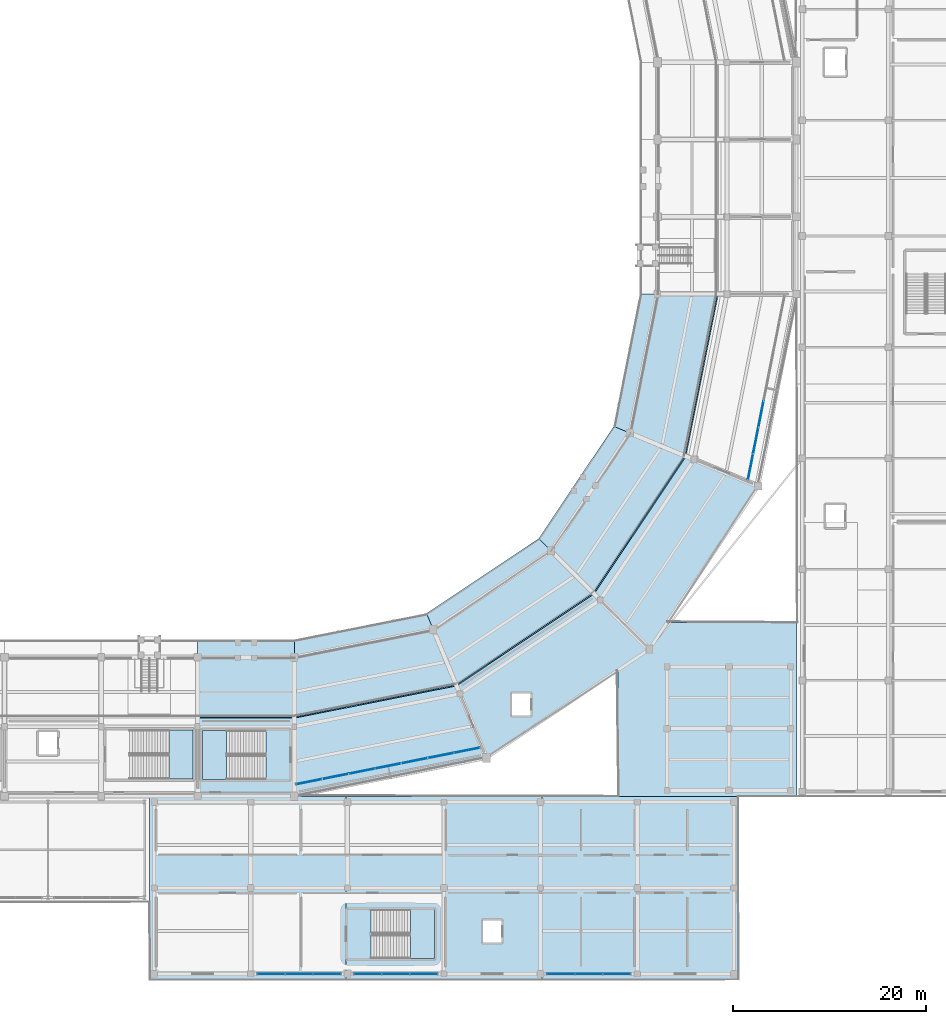
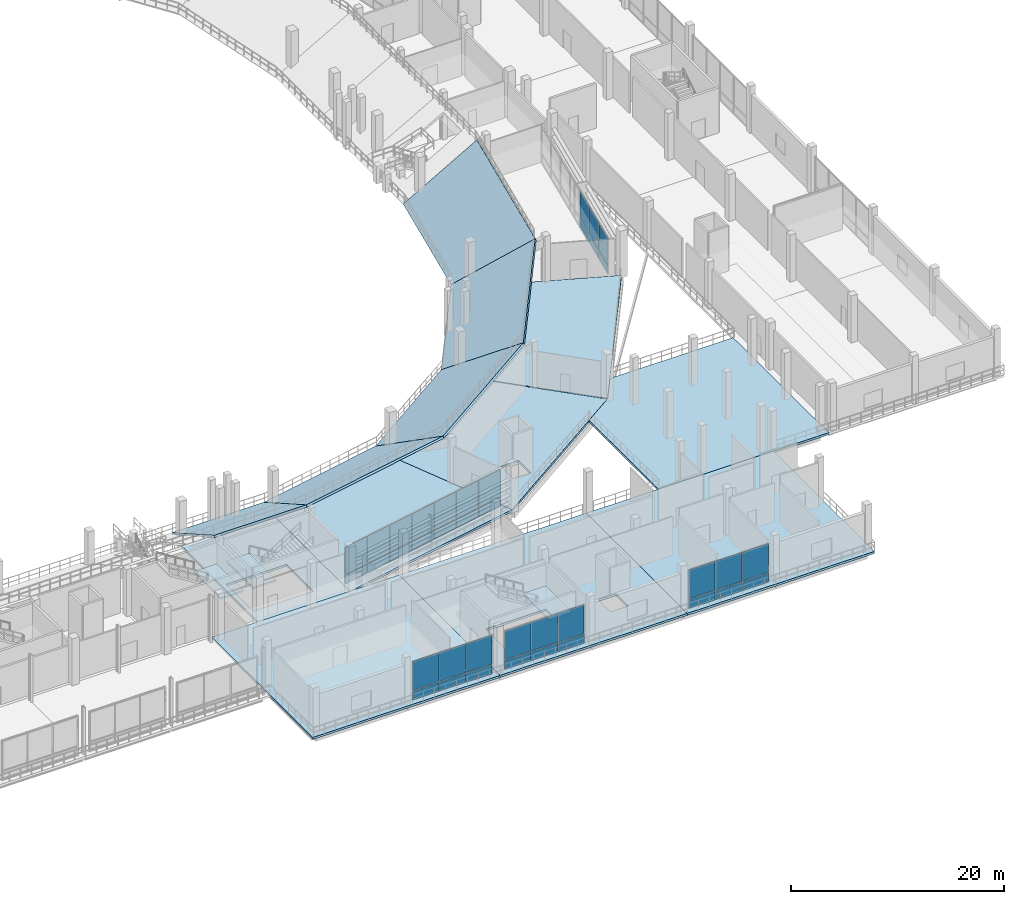
# One storey, part 66 of 127: 38 plates, 16 slabs, 8 elements without a shape of their own.
"""IFC4 building model written with IfcOpenShell, lengths in metres."""

from ifc_helpers import new_model, si_unit, direction, frame, origin, origin_2d, place, context, subcontext, project, spatial, polyline, rectangle, outline, extrude, material, layer, layer_set, type_object, element, aggregate, save


model = new_model("IFC4")

# Units and contexts
model_context = context("Model", 3, precision=1e-05, world=origin(), true_north=direction((0.0, 1.0)))
body_context = subcontext(model_context, "Body", "Model", "MODEL_VIEW")
ifc_project = project(units=[si_unit("LENGTHUNIT", "METRE"), si_unit("AREAUNIT", "SQUARE_METRE"), si_unit("VOLUMEUNIT", "CUBIC_METRE"), si_unit("PLANEANGLEUNIT", "RADIAN"), si_unit("MASSUNIT", "GRAM", prefix="KILO")], contexts=[model_context])

# Site, building, storey
site_placement = place(None, origin())
site = spatial("IfcSite", under=ifc_project, at=site_placement, CompositionType="ELEMENT")
building_placement = place(site_placement, origin())
building = spatial("IfcBuilding", under=site, at=building_placement, Name="Candeia Ridge Stadium", CompositionType="ELEMENT")
storey_placement = place(building_placement, frame((0.0, 0.0, 10.800048828125)))
storey = spatial("IfcBuildingStorey", under=building, at=storey_placement, Name="L02", CompositionType="ELEMENT", Elevation=10.800048828125)

# Slabs
ifc_material_1 = material(Name="Precast concrete C45/55", Category="concrete")
ifc_layer_1 = layer(ifc_material_1, 0.22509765625, Name="Precast concrete C45/55", Category="concrete")
ifc_layer_set_1 = layer_set([ifc_layer_1], Name="Precast concrete C45/55")
slab_type_1 = type_object("IfcSlabType", Name="Club Seating Tier Precast 225", PredefinedType="USERDEFINED", material=ifc_layer_set_1)
slab_1_placement = place(storey_placement, frame((131.0, 35.199951171875, 0.39990234375), z_axis=(0.0, 0.494386728352, 0.869242062276), x_axis=(1.0, 0.0, 0.0)))
element("IfcSlab", 1, at=slab_1_placement, inside=storey, type_object=slab_type_1, Name="Stand Club Tier Stands Bay 25", ObjectType="SEATING TIER", PredefinedType="USERDEFINED", context=body_context, shape_type="SweptSolid", body=[
    extrude(outline(polyline([(0.0, 0.0), (10.0, 0.0), (10.0, -9.203420252184602), (0.0, -9.203420252184602), (0.0, 0.0)])), origin(), (0.0, 0.0, -1.0), 0.22509765625),
])
slab_2_placement = place(storey_placement, frame((141.0, 35.199951171875, 0.39990234375), z_axis=(-0.097864069881, 0.492009659407, 0.86507174204), x_axis=(0.980785461692, 0.195089410595, -2.563371e-06)))
element("IfcSlab", 2, at=slab_2_placement, inside=storey, type_object=slab_type_1, Name="Stand Club Tier Stands Bay 26", ObjectType="SEATING TIER", PredefinedType="USERDEFINED", context=body_context, shape_type="SweptSolid", body=[
    extrude(outline(polyline([(0.0, 0.0), (13.96835063084204, 0.0), (15.529587610985773, -9.070278646793197), (-1.5607269482180093, -9.070119940205563), (0.0, 0.0)])), origin(), (0.0, 0.0, -1.0), 0.22509765625),
])
slab_3_placement = place(storey_placement, frame((154.699951171875, 37.925048828125, 0.39990234375), z_axis=(-0.278715263732, 0.417085102929, 0.865076770395), x_axis=(0.831444571051, 0.555607708072, 6.87557e-07)))
element("IfcSlab", 3, at=slab_3_placement, inside=storey, type_object=slab_type_1, Name="Stand Club Tier Stands Bay 27", ObjectType="SEATING TIER", PredefinedType="USERDEFINED", context=body_context, shape_type="SweptSolid", body=[
    extrude(outline(polyline([(0.0, 0.0), (13.968472441742488, 8.881784197001252e-16), (15.528879855339513, -9.070334794515325), (-1.5606633618274304, -9.070377363223672), (0.0, 0.0)])), origin(), (0.0, 0.0, -1.0), 0.22509765625),
])
slab_4_placement = place(storey_placement, frame((166.31396484375, 45.68603515625, 0.39990234375), z_axis=(-0.417085102929, 0.278715263732, 0.865076770395), x_axis=(0.555607708072, 0.831444571051, -6.87557e-07)))
element("IfcSlab", 4, at=slab_4_placement, inside=storey, type_object=slab_type_1, Name="Stand Club Tier Stands Bay 28", ObjectType="SEATING TIER", PredefinedType="USERDEFINED", context=body_context, shape_type="SweptSolid", body=[
    extrude(outline(polyline([(0.0, 0.0), (13.968472441742488, -8.881784197001252e-16), (15.529135803569918, -9.070377363223672), (-1.5604074135970254, -9.070334794515325), (0.0, 0.0)])), origin(), (0.0, 0.0, -1.0), 0.22509765625),
])
slab_5_placement = place(storey_placement, frame((174.074951171875, 57.300048828125, 0.39990234375), z_axis=(-0.492009659407, 0.097864069881, 0.86507174204), x_axis=(0.195089410595, 0.980785461692, 2.563371e-06)))
element("IfcSlab", 5, at=slab_5_placement, inside=storey, type_object=slab_type_1, Name="Stand Club Tier Stands Bay 29", ObjectType="SEATING TIER", PredefinedType="USERDEFINED", context=body_context, shape_type="SweptSolid", body=[
    extrude(outline(polyline([(0.0, 0.0), (13.96835063084204, 0.0), (15.529077579060049, -9.070119940205563), (-1.5612369801437325, -9.070278646793197), (0.0, 0.0)])), origin(), (0.0, 0.0, -1.0), 0.22509765625),
])

# Stair, slab
ifc_material_2 = material(Name="Concrete C40/50", Category="concrete")
stair_type = type_object("IfcStairType", Name="Enclosed Core Half-Turn Stair 2450", PredefinedType="HALF_TURN_STAIR", material=ifc_material_2)
stair_1_placement = place(storey_placement, origin())
stair_1 = element("IfcStair", 6, at=stair_1_placement, inside=storey, type_object=stair_type, Name="L02 Enclosed exit stair ST03", PredefinedType="HALF_TURN_STAIR")
ifc_layer_2 = layer(ifc_material_2, 0.199951171875, Name="Concrete C40/50", Category="concrete")
ifc_layer_set_2 = layer_set([ifc_layer_2], Name="Concrete C40/50")
slab_type_2 = type_object("IfcSlabType", Name="Core Stair Landing Slab 200", PredefinedType="LANDING", material=ifc_layer_set_2)
slab_6_placement = place(storey_placement, frame((0.0, 0.0, 2.5)))
slab_6 = element("IfcSlab", 7, at=slab_6_placement, type_object=slab_type_2, Name="ST03 landing 1", PredefinedType="LANDING", context=body_context, shape_type="SweptSolid", body=[
    extrude(outline(polyline([(133.989990234375, 25.800048828125), (131.5, 25.800048828125), (131.5, 20.75), (133.989990234375, 20.75), (133.989990234375, 25.800048828125)])), origin(), (0.0, 0.0, 1.0), 0.199951171875),
])
aggregate(stair_1, [slab_6])

stair_2_placement = place(storey_placement, origin())
stair_2 = element("IfcStair", 8, at=stair_2_placement, inside=storey, type_object=stair_type, Name="L02 Enclosed exit stair ST12", PredefinedType="HALF_TURN_STAIR")
slab_7_placement = place(storey_placement, frame((0.0, 0.0, 2.5)))
slab_7 = element("IfcSlab", 9, at=slab_7_placement, type_object=slab_type_2, Name="ST12 landing 1", PredefinedType="LANDING", context=body_context, shape_type="SweptSolid", body=[
    extrude(outline(polyline([(128.010009765625, 20.800048828125), (130.5, 20.800048828125), (130.5, 25.85009765625), (128.010009765625, 25.85009765625), (128.010009765625, 20.800048828125)])), origin(), (0.0, 0.0, 1.0), 0.199951171875),
])
aggregate(stair_2, [slab_7])

stair_3_placement = place(storey_placement, origin())
stair_3 = element("IfcStair", 10, at=stair_3_placement, inside=storey, type_object=stair_type, Name="L02 Enclosed exit stair ST14", PredefinedType="HALF_TURN_STAIR")
slab_8_placement = place(storey_placement, frame((0.0, 0.0, 2.5)))
slab_8 = element("IfcSlab", 11, at=slab_8_placement, type_object=slab_type_2, Name="ST14 landing 1", PredefinedType="LANDING", context=body_context, shape_type="SweptSolid", body=[
    extrude(outline(polyline([(153.010009765625, 2.199951171875), (155.5, 2.199951171875), (155.5, 7.25), (153.010009765625, 7.25), (153.010009765625, 2.199951171875)])), origin(), (0.0, 0.0, 1.0), 0.199951171875),
])
aggregate(stair_3, [slab_8])

# Slabs
ifc_layer_3 = layer(ifc_material_2, 0.25, Name="Concrete C40/50", Category="concrete")
ifc_layer_set_3 = layer_set([ifc_layer_3], Name="Concrete C40/50")
slab_type_3 = type_object("IfcSlabType", Name="Hospitality & Museum Slab 250", PredefinedType="FLOOR", material=ifc_layer_set_3)
slab_9_placement = place(storey_placement, frame((0.0, 0.0, -0.25)))
element("IfcSlab", 12, at=slab_9_placement, inside=storey, type_object=slab_type_3, Name="Bowl concourse sector slab L02 bay 25 SLB-L02-0097", PredefinedType="FLOOR", context=body_context, shape_type="SweptSolid", body=[
    extrude(outline(polyline([(141.0, 33.39990234375), (141.0, 19.0), (131.0, 19.0), (131.0, 33.39990234375), (141.0, 33.39990234375)]), holes=[polyline([(138.04931640625, 25.800048828125), (131.5, 25.800048828125), (131.5, 20.75), (138.04931640625, 20.75), (138.04931640625, 25.800048828125)])]), origin(), (0.0, 0.0, 1.0), 0.25),
])
slab_10_placement = place(storey_placement, frame((0.0, 0.0, -0.25)))
element("IfcSlab", 13, at=slab_10_placement, inside=storey, type_object=slab_type_3, Name="Bowl concourse sector slab L02 bay 26 SLB-L02-0098", PredefinedType="FLOOR", context=body_context, shape_type="SweptSolid", body=[
    extrude(outline(polyline([(155.388916015625, 36.26220703125), (160.8994140625, 22.958251953125), (141.0, 19.0), (141.0, 33.39990234375), (155.388916015625, 36.26220703125)])), origin(), (0.0, 0.0, 1.0), 0.25),
])
slab_11_placement = place(storey_placement, frame((0.0, 0.0, -0.25)))
element("IfcSlab", 14, at=slab_11_placement, inside=storey, type_object=slab_type_3, Name="Bowl concourse sector slab L02 bay 27 SLB-L02-0099", PredefinedType="FLOOR", context=body_context, shape_type="SweptSolid", body=[
    extrude(outline(polyline([(167.553955078125, 44.390625), (177.736328125, 34.208251953125), (160.8994140625, 22.958251953125), (155.388916015625, 36.26220703125), (167.553955078125, 44.390625)]), holes=[polyline([(165.449951171875, 27.35009765625), (165.449951171875, 29.64990234375), (163.550048828125, 29.64990234375), (163.550048828125, 27.35009765625), (165.449951171875, 27.35009765625)])]), origin(), (0.0, 0.0, 1.0), 0.25),
])
slab_12_placement = place(storey_placement, frame((0.0, 0.0, -0.25)))
element("IfcSlab", 15, at=slab_12_placement, inside=storey, type_object=slab_type_3, Name="Bowl concourse sector slab L02 bay 28 SLB-L02-0100", PredefinedType="FLOOR", context=body_context, shape_type="SweptSolid", body=[
    extrude(outline(polyline([(175.73779296875, 56.611083984375), (189.041748046875, 51.1005859375), (177.791748046875, 34.263671875), (167.609375, 44.446044921875), (175.73779296875, 56.611083984375)])), origin(), (0.0, 0.0, 1.0), 0.25),
])
slab_13_placement = place(storey_placement, frame((0.0, 0.0, -0.25)))
element("IfcSlab", 16, at=slab_13_placement, inside=storey, type_object=slab_type_3, Name="Wing floor slab se_s SLB-L02-0260", PredefinedType="FLOOR", context=body_context, shape_type="SweptSolid", body=[
    extrude(outline(polyline([(126.0, 0.0), (126.0, 19.0), (146.333251953125, 19.0), (146.333251953125, 0.0), (126.0, 0.0)])), origin(), (0.0, 0.0, 1.0), 0.25),
])
slab_14_placement = place(storey_placement, frame((0.0, 0.0, -0.25)))
element("IfcSlab", 17, at=slab_14_placement, inside=storey, type_object=slab_type_3, Name="Wing floor slab se_s SLB-L02-0261", PredefinedType="FLOOR", context=body_context, shape_type="SweptSolid", body=[
    extrude(outline(polyline([(146.333251953125, 0.0), (146.333251953125, 19.0), (166.666748046875, 19.0), (166.666748046875, 0.0), (146.333251953125, 0.0)]), holes=[polyline([(148.95068359375, 2.199951171875), (155.5, 2.199951171875), (155.5, 7.25), (148.95068359375, 7.25), (148.95068359375, 2.199951171875)]), polyline([(162.449951171875, 3.85009765625), (162.449951171875, 6.14990234375), (160.550048828125, 6.14990234375), (160.550048828125, 3.85009765625), (162.449951171875, 3.85009765625)])]), origin(), (0.0, 0.0, 1.0), 0.25),
])
slab_15_placement = place(storey_placement, frame((0.0, 0.0, -0.25)))
element("IfcSlab", 18, at=slab_15_placement, inside=storey, type_object=slab_type_3, Name="Wing floor slab se_s SLB-L02-0262", PredefinedType="FLOOR", context=body_context, shape_type="SweptSolid", body=[
    extrude(outline(polyline([(166.666748046875, 0.0), (166.666748046875, 19.0), (187.0, 19.0), (187.0, 0.0), (166.666748046875, 0.0)])), origin(), (0.0, 0.0, 1.0), 0.25),
])
slab_16_placement = place(storey_placement, frame((0.0, 0.0, -0.25)))
element("IfcSlab", 19, at=slab_16_placement, inside=storey, type_object=slab_type_3, Name="Wing floor slab sp_se SLB-L02-0274", PredefinedType="FLOOR", context=body_context, shape_type="SweptSolid", body=[
    extrude(outline(polyline([(193.0, 19.0), (174.5, 19.0), (174.5, 32.039794921875), (177.772216796875, 34.226318359375), (177.772705078125, 34.2265625), (177.773193359375, 34.226806640625), (177.7734375, 34.227294921875), (177.773681640625, 34.227783203125), (179.626220703125, 37.0), (193.0, 37.0), (193.0, 19.0)])), origin(), (0.0, 0.0, 1.0), 0.25),
])

# Curtain wall, plates
ifc_material_3 = material(Name="Aluminium Anodized Warm Bronze", Category="aluminium")
curtain_wall_type_1 = type_object("IfcCurtainWallType", Name="Concourse Recessed Unitised Curtain Wall", PredefinedType="NOTDEFINED", material=ifc_material_3)
curtain_wall_1_placement = place(storey_placement, origin())
curtain_wall_1 = element("IfcCurtainWall", 20, at=curtain_wall_1_placement, inside=storey, type_object=curtain_wall_type_1, Name="Unitised curtain wall CW-BWL-L02-28", PredefinedType="NOTDEFINED")
ifc_material_4 = material(Name="Aluminium Insulated Spandrel", Category="aluminium")
ifc_layer_4 = layer(ifc_material_4, 0.06494140625, Name="Aluminium Insulated Spandrel", Category="aluminium")
ifc_layer_set_4 = layer_set([ifc_layer_4], Name="Aluminium Insulated Spandrel")
plate_type_1 = type_object("IfcPlateType", Name="Insulated Bronze Spandrel Panel SP4", PredefinedType="CURTAIN_PANEL", material=ifc_layer_set_4)
plate_1_placement = place(storey_placement, frame((188.239501953125, 53.099609375, 0.0400390625), z_axis=(0.0, 0.0, 1.0), x_axis=(0.195090320544, 0.980785280696, 0.0)))
plate_1 = element("IfcPlate", 21, at=plate_1_placement, type_object=plate_type_1, Name="Curtain wall spandrel panel CW-BWL-L02-28-SP0", PredefinedType="CURTAIN_PANEL", context=body_context, shape_type="SweptSolid", body=[
    extrude(rectangle(XDim=2.710205078125, YDim=0.06494140625, at=origin_2d()), origin(), (0.0, 0.0, 1.0), 0.983642578125),
])
plate_2_placement = place(storey_placement, frame((188.78173828125, 55.826416015625, 0.0400390625), z_axis=(0.0, 0.0, 1.0), x_axis=(0.195090320544, 0.980785280696, 0.0)))
plate_2 = element("IfcPlate", 22, at=plate_2_placement, type_object=plate_type_1, Name="Curtain wall spandrel panel CW-BWL-L02-28-SP1", PredefinedType="CURTAIN_PANEL", context=body_context, shape_type="SweptSolid", body=[
    extrude(rectangle(XDim=2.710205078125, YDim=0.06494140625, at=origin_2d()), origin(), (0.0, 0.0, 1.0), 0.983642578125),
])
plate_3_placement = place(storey_placement, frame((189.32421875, 58.552978515625, 0.0400390625), z_axis=(0.0, 0.0, 1.0), x_axis=(0.195090320544, 0.980785280696, 0.0)))
plate_3 = element("IfcPlate", 23, at=plate_3_placement, type_object=plate_type_1, Name="Curtain wall spandrel panel CW-BWL-L02-28-SP2", PredefinedType="CURTAIN_PANEL", context=body_context, shape_type="SweptSolid", body=[
    extrude(rectangle(XDim=2.710205078125, YDim=0.06494140625, at=origin_2d()), origin(), (0.0, 0.0, 1.0), 0.983642578125),
])

curtain_wall_2_placement = place(storey_placement, origin())
curtain_wall_2 = element("IfcCurtainWall", 24, at=curtain_wall_2_placement, inside=storey, type_object=curtain_wall_type_1, Name="Unitised curtain wall CW-BWL-L02-25", PredefinedType="NOTDEFINED")
ifc_layer_5 = layer(ifc_material_4, 0.06494140625, Name="Aluminium Insulated Spandrel", Category="aluminium")
ifc_layer_set_5 = layer_set([ifc_layer_5], Name="Aluminium Insulated Spandrel")
plate_type_2 = type_object("IfcPlateType", Name="Insulated Bronze Spandrel Panel SP5", PredefinedType="CURTAIN_PANEL", material=ifc_layer_set_5)
plate_4_placement = place(storey_placement, frame((142.539794921875, 20.50634765625, 0.0400390625), z_axis=(0.0, 0.0, 1.0), x_axis=(0.980785280696, 0.195090320544, 0.0)))
plate_4 = element("IfcPlate", 25, at=plate_4_placement, type_object=plate_type_2, Name="Curtain wall spandrel panel CW-BWL-L02-25-SP0", PredefinedType="CURTAIN_PANEL", context=body_context, shape_type="SweptSolid", body=[
    extrude(rectangle(XDim=2.710205078125, YDim=0.06494140625, at=origin_2d()), origin(), (0.0, 0.0, 1.0), 0.983642578125),
])
plate_5_placement = place(storey_placement, frame((145.2666015625, 21.048583984375, 0.0400390625), z_axis=(0.0, 0.0, 1.0), x_axis=(0.980785280696, 0.195090320544, 0.0)))
plate_5 = element("IfcPlate", 26, at=plate_5_placement, type_object=plate_type_2, Name="Curtain wall spandrel panel CW-BWL-L02-25-SP1", PredefinedType="CURTAIN_PANEL", context=body_context, shape_type="SweptSolid", body=[
    extrude(rectangle(XDim=2.710205078125, YDim=0.06494140625, at=origin_2d()), origin(), (0.0, 0.0, 1.0), 0.983642578125),
])
plate_6_placement = place(storey_placement, frame((147.993408203125, 21.591064453125, 0.0400390625), z_axis=(0.0, 0.0, 1.0), x_axis=(0.980785280696, 0.195090320544, 0.0)))
plate_6 = element("IfcPlate", 27, at=plate_6_placement, type_object=plate_type_2, Name="Curtain wall spandrel panel CW-BWL-L02-25-SP2", PredefinedType="CURTAIN_PANEL", context=body_context, shape_type="SweptSolid", body=[
    extrude(rectangle(XDim=2.710205078125, YDim=0.06494140625, at=origin_2d()), origin(), (0.0, 0.0, 1.0), 0.983642578125),
])
plate_7_placement = place(storey_placement, frame((150.72021484375, 22.13330078125, 0.0400390625), z_axis=(0.0, 0.0, 1.0), x_axis=(0.980785280696, 0.195090320544, 0.0)))
plate_7 = element("IfcPlate", 28, at=plate_7_placement, type_object=plate_type_2, Name="Curtain wall spandrel panel CW-BWL-L02-25-SP3", PredefinedType="CURTAIN_PANEL", context=body_context, shape_type="SweptSolid", body=[
    extrude(rectangle(XDim=2.710205078125, YDim=0.06494140625, at=origin_2d()), origin(), (0.0, 0.0, 1.0), 0.983642578125),
])
plate_8_placement = place(storey_placement, frame((153.447021484375, 22.67578125, 0.0400390625), z_axis=(0.0, 0.0, 1.0), x_axis=(0.980785280696, 0.195090320544, 0.0)))
plate_8 = element("IfcPlate", 29, at=plate_8_placement, type_object=plate_type_2, Name="Curtain wall spandrel panel CW-BWL-L02-25-SP4", PredefinedType="CURTAIN_PANEL", context=body_context, shape_type="SweptSolid", body=[
    extrude(rectangle(XDim=2.710205078125, YDim=0.06494140625, at=origin_2d()), origin(), (0.0, 0.0, 1.0), 0.983642578125),
])
plate_9_placement = place(storey_placement, frame((156.173583984375, 23.21826171875, 0.0400390625), z_axis=(0.0, 0.0, 1.0), x_axis=(0.980785280696, 0.195090320544, 0.0)))
plate_9 = element("IfcPlate", 30, at=plate_9_placement, type_object=plate_type_2, Name="Curtain wall spandrel panel CW-BWL-L02-25-SP5", PredefinedType="CURTAIN_PANEL", context=body_context, shape_type="SweptSolid", body=[
    extrude(rectangle(XDim=2.710205078125, YDim=0.06494140625, at=origin_2d()), origin(), (0.0, 0.0, 1.0), 0.983642578125),
])
plate_10_placement = place(storey_placement, frame((158.900390625, 23.760498046875, 0.0400390625), z_axis=(0.0, 0.0, 1.0), x_axis=(0.980785280696, 0.195090320544, 0.0)))
plate_10 = element("IfcPlate", 31, at=plate_10_placement, type_object=plate_type_2, Name="Curtain wall spandrel panel CW-BWL-L02-25-SP6", PredefinedType="CURTAIN_PANEL", context=body_context, shape_type="SweptSolid", body=[
    extrude(rectangle(XDim=2.710205078125, YDim=0.06494140625, at=origin_2d()), origin(), (0.0, 0.0, 1.0), 0.983642578125),
])

curtain_wall_type_2 = type_object("IfcCurtainWallType", Name="Museum & Boulevard Showcase Curtain Wall", PredefinedType="NOTDEFINED", material=ifc_material_3)
curtain_wall_3_placement = place(storey_placement, origin())
curtain_wall_3 = element("IfcCurtainWall", 32, at=curtain_wall_3_placement, inside=storey, type_object=curtain_wall_type_2, Name="Unitised curtain wall CW-WNG-L02-124", PredefinedType="NOTDEFINED")
ifc_layer_6 = layer(ifc_material_4, 0.06494140625, Name="Aluminium Insulated Spandrel", Category="aluminium")
ifc_layer_set_6 = layer_set([ifc_layer_6], Name="Aluminium Insulated Spandrel")
plate_type_3 = type_object("IfcPlateType", Name="Insulated Cedar-Tone Spandrel Panel SP3", PredefinedType="CURTAIN_PANEL", material=ifc_layer_set_6)
plate_11_placement = place(storey_placement, frame((138.606689453125, 0.60009765625, 0.0400390625), z_axis=(0.0, 0.0, 1.0), x_axis=(1.0, 0.0, 0.0)))
plate_11 = element("IfcPlate", 33, at=plate_11_placement, type_object=plate_type_3, Name="Curtain wall spandrel panel CW-WNG-L02-124-SP0", PredefinedType="CURTAIN_PANEL", context=body_context, shape_type="SweptSolid", body=[
    extrude(rectangle(XDim=2.8232421875, YDim=0.06494140625, at=origin_2d()), origin(), (0.0, 0.0, 1.0), 1.02001953125),
])
plate_12_placement = place(storey_placement, frame((141.5, 0.60009765625, 0.0400390625), z_axis=(0.0, 0.0, 1.0), x_axis=(1.0, 0.0, 0.0)))
plate_12 = element("IfcPlate", 34, at=plate_12_placement, type_object=plate_type_3, Name="Curtain wall spandrel panel CW-WNG-L02-124-SP1", PredefinedType="CURTAIN_PANEL", context=body_context, shape_type="SweptSolid", body=[
    extrude(rectangle(XDim=2.8232421875, YDim=0.06494140625, at=origin_2d()), origin(), (0.0, 0.0, 1.0), 1.02001953125),
])
plate_13_placement = place(storey_placement, frame((144.393310546875, 0.60009765625, 0.0400390625), z_axis=(0.0, 0.0, 1.0), x_axis=(1.0, 0.0, 0.0)))
plate_13 = element("IfcPlate", 35, at=plate_13_placement, type_object=plate_type_3, Name="Curtain wall spandrel panel CW-WNG-L02-124-SP2", PredefinedType="CURTAIN_PANEL", context=body_context, shape_type="SweptSolid", body=[
    extrude(rectangle(XDim=2.8232421875, YDim=0.06494140625, at=origin_2d()), origin(), (0.0, 0.0, 1.0), 1.02001953125),
])

curtain_wall_4_placement = place(storey_placement, origin())
curtain_wall_4 = element("IfcCurtainWall", 36, at=curtain_wall_4_placement, inside=storey, type_object=curtain_wall_type_2, Name="Unitised curtain wall CW-WNG-L02-125", PredefinedType="NOTDEFINED")
plate_14_placement = place(storey_placement, frame((148.606689453125, 0.60009765625, 0.0400390625), z_axis=(0.0, 0.0, 1.0), x_axis=(1.0, 0.0, 0.0)))
plate_14 = element("IfcPlate", 37, at=plate_14_placement, type_object=plate_type_3, Name="Curtain wall spandrel panel CW-WNG-L02-125-SP0", PredefinedType="CURTAIN_PANEL", context=body_context, shape_type="SweptSolid", body=[
    extrude(rectangle(XDim=2.8232421875, YDim=0.06494140625, at=origin_2d()), origin(), (0.0, 0.0, 1.0), 1.02001953125),
])
plate_15_placement = place(storey_placement, frame((151.5, 0.60009765625, 0.0400390625), z_axis=(0.0, 0.0, 1.0), x_axis=(1.0, 0.0, 0.0)))
plate_15 = element("IfcPlate", 38, at=plate_15_placement, type_object=plate_type_3, Name="Curtain wall spandrel panel CW-WNG-L02-125-SP1", PredefinedType="CURTAIN_PANEL", context=body_context, shape_type="SweptSolid", body=[
    extrude(rectangle(XDim=2.8232421875, YDim=0.06494140625, at=origin_2d()), origin(), (0.0, 0.0, 1.0), 1.02001953125),
])
plate_16_placement = place(storey_placement, frame((154.393310546875, 0.60009765625, 0.0400390625), z_axis=(0.0, 0.0, 1.0), x_axis=(1.0, 0.0, 0.0)))
plate_16 = element("IfcPlate", 39, at=plate_16_placement, type_object=plate_type_3, Name="Curtain wall spandrel panel CW-WNG-L02-125-SP2", PredefinedType="CURTAIN_PANEL", context=body_context, shape_type="SweptSolid", body=[
    extrude(rectangle(XDim=2.8232421875, YDim=0.06494140625, at=origin_2d()), origin(), (0.0, 0.0, 1.0), 1.02001953125),
])

curtain_wall_5_placement = place(storey_placement, origin())
curtain_wall_5 = element("IfcCurtainWall", 40, at=curtain_wall_5_placement, inside=storey, type_object=curtain_wall_type_2, Name="Unitised curtain wall CW-WNG-L02-126", PredefinedType="NOTDEFINED")
plate_17_placement = place(storey_placement, frame((168.606689453125, 0.60009765625, 0.0400390625), z_axis=(0.0, 0.0, 1.0), x_axis=(1.0, 0.0, 0.0)))
plate_17 = element("IfcPlate", 41, at=plate_17_placement, type_object=plate_type_3, Name="Curtain wall spandrel panel CW-WNG-L02-126-SP0", PredefinedType="CURTAIN_PANEL", context=body_context, shape_type="SweptSolid", body=[
    extrude(rectangle(XDim=2.8232421875, YDim=0.06494140625, at=origin_2d()), origin(), (0.0, 0.0, 1.0), 1.02001953125),
])
plate_18_placement = place(storey_placement, frame((171.5, 0.60009765625, 0.0400390625), z_axis=(0.0, 0.0, 1.0), x_axis=(1.0, 0.0, 0.0)))
plate_18 = element("IfcPlate", 42, at=plate_18_placement, type_object=plate_type_3, Name="Curtain wall spandrel panel CW-WNG-L02-126-SP1", PredefinedType="CURTAIN_PANEL", context=body_context, shape_type="SweptSolid", body=[
    extrude(rectangle(XDim=2.8232421875, YDim=0.06494140625, at=origin_2d()), origin(), (0.0, 0.0, 1.0), 1.02001953125),
])
plate_19_placement = place(storey_placement, frame((174.393310546875, 0.60009765625, 0.0400390625), z_axis=(0.0, 0.0, 1.0), x_axis=(1.0, 0.0, 0.0)))
plate_19 = element("IfcPlate", 43, at=plate_19_placement, type_object=plate_type_3, Name="Curtain wall spandrel panel CW-WNG-L02-126-SP2", PredefinedType="CURTAIN_PANEL", context=body_context, shape_type="SweptSolid", body=[
    extrude(rectangle(XDim=2.8232421875, YDim=0.06494140625, at=origin_2d()), origin(), (0.0, 0.0, 1.0), 1.02001953125),
])

# Plate
ifc_material_5 = material(Name="Tempered Low-E Double Glazing", Category="glass")
ifc_layer_7 = layer(ifc_material_5, 0.035888671875, Name="Tempered Low-E Double Glazing", Category="glass")
ifc_layer_set_7 = layer_set([ifc_layer_7], Name="Tempered Low-E Double Glazing")
plate_type_4 = type_object("IfcPlateType", Name="Pavilion Panorama Glass Panel GP4", PredefinedType="CURTAIN_PANEL", material=ifc_layer_set_7)
plate_20_placement = place(storey_placement, frame((138.606689453125, 0.60009765625, 1.14013671875), z_axis=(0.0, 0.0, 1.0), x_axis=(1.0, 0.0, 0.0)))
plate_20 = element("IfcPlate", 44, at=plate_20_placement, type_object=plate_type_4, Name="Curtain wall vision glass panel CW-WNG-L02-124-GP0", PredefinedType="CURTAIN_PANEL", context=body_context, shape_type="SweptSolid", body=[
    extrude(rectangle(XDim=2.8232421875, YDim=0.035888671875, at=origin_2d()), origin(), (0.0, 0.0, 1.0), 3.304931640625),
])

plate_21_placement = place(storey_placement, frame((141.5, 0.60009765625, 1.14013671875), z_axis=(0.0, 0.0, 1.0), x_axis=(1.0, 0.0, 0.0)))
plate_21 = element("IfcPlate", 45, at=plate_21_placement, type_object=plate_type_4, Name="Curtain wall vision glass panel CW-WNG-L02-124-GP1", PredefinedType="CURTAIN_PANEL", context=body_context, shape_type="SweptSolid", body=[
    extrude(rectangle(XDim=2.8232421875, YDim=0.035888671875, at=origin_2d()), origin(), (0.0, 0.0, 1.0), 3.304931640625),
])

plate_22_placement = place(storey_placement, frame((144.393310546875, 0.60009765625, 1.14013671875), z_axis=(0.0, 0.0, 1.0), x_axis=(1.0, 0.0, 0.0)))
plate_22 = element("IfcPlate", 46, at=plate_22_placement, type_object=plate_type_4, Name="Curtain wall vision glass panel CW-WNG-L02-124-GP2", PredefinedType="CURTAIN_PANEL", context=body_context, shape_type="SweptSolid", body=[
    extrude(rectangle(XDim=2.8232421875, YDim=0.035888671875, at=origin_2d()), origin(), (0.0, 0.0, 1.0), 3.304931640625),
])

aggregate(curtain_wall_3, [plate_11, plate_20, plate_12, plate_21, plate_13, plate_22])

plate_23_placement = place(storey_placement, frame((148.606689453125, 0.60009765625, 1.14013671875), z_axis=(0.0, 0.0, 1.0), x_axis=(1.0, 0.0, 0.0)))
plate_23 = element("IfcPlate", 47, at=plate_23_placement, type_object=plate_type_4, Name="Curtain wall vision glass panel CW-WNG-L02-125-GP0", PredefinedType="CURTAIN_PANEL", context=body_context, shape_type="SweptSolid", body=[
    extrude(rectangle(XDim=2.8232421875, YDim=0.035888671875, at=origin_2d()), origin(), (0.0, 0.0, 1.0), 3.304931640625),
])

plate_24_placement = place(storey_placement, frame((151.5, 0.60009765625, 1.14013671875), z_axis=(0.0, 0.0, 1.0), x_axis=(1.0, 0.0, 0.0)))
plate_24 = element("IfcPlate", 48, at=plate_24_placement, type_object=plate_type_4, Name="Curtain wall vision glass panel CW-WNG-L02-125-GP1", PredefinedType="CURTAIN_PANEL", context=body_context, shape_type="SweptSolid", body=[
    extrude(rectangle(XDim=2.8232421875, YDim=0.035888671875, at=origin_2d()), origin(), (0.0, 0.0, 1.0), 3.304931640625),
])

plate_25_placement = place(storey_placement, frame((154.393310546875, 0.60009765625, 1.14013671875), z_axis=(0.0, 0.0, 1.0), x_axis=(1.0, 0.0, 0.0)))
plate_25 = element("IfcPlate", 49, at=plate_25_placement, type_object=plate_type_4, Name="Curtain wall vision glass panel CW-WNG-L02-125-GP2", PredefinedType="CURTAIN_PANEL", context=body_context, shape_type="SweptSolid", body=[
    extrude(rectangle(XDim=2.8232421875, YDim=0.035888671875, at=origin_2d()), origin(), (0.0, 0.0, 1.0), 3.304931640625),
])

aggregate(curtain_wall_4, [plate_14, plate_23, plate_15, plate_24, plate_16, plate_25])

plate_26_placement = place(storey_placement, frame((168.606689453125, 0.60009765625, 1.14013671875), z_axis=(0.0, 0.0, 1.0), x_axis=(1.0, 0.0, 0.0)))
plate_26 = element("IfcPlate", 50, at=plate_26_placement, type_object=plate_type_4, Name="Curtain wall vision glass panel CW-WNG-L02-126-GP0", PredefinedType="CURTAIN_PANEL", context=body_context, shape_type="SweptSolid", body=[
    extrude(rectangle(XDim=2.8232421875, YDim=0.035888671875, at=origin_2d()), origin(), (0.0, 0.0, 1.0), 3.304931640625),
])

plate_27_placement = place(storey_placement, frame((171.5, 0.60009765625, 1.14013671875), z_axis=(0.0, 0.0, 1.0), x_axis=(1.0, 0.0, 0.0)))
plate_27 = element("IfcPlate", 51, at=plate_27_placement, type_object=plate_type_4, Name="Curtain wall vision glass panel CW-WNG-L02-126-GP1", PredefinedType="CURTAIN_PANEL", context=body_context, shape_type="SweptSolid", body=[
    extrude(rectangle(XDim=2.8232421875, YDim=0.035888671875, at=origin_2d()), origin(), (0.0, 0.0, 1.0), 3.304931640625),
])

plate_28_placement = place(storey_placement, frame((174.393310546875, 0.60009765625, 1.14013671875), z_axis=(0.0, 0.0, 1.0), x_axis=(1.0, 0.0, 0.0)))
plate_28 = element("IfcPlate", 52, at=plate_28_placement, type_object=plate_type_4, Name="Curtain wall vision glass panel CW-WNG-L02-126-GP2", PredefinedType="CURTAIN_PANEL", context=body_context, shape_type="SweptSolid", body=[
    extrude(rectangle(XDim=2.8232421875, YDim=0.035888671875, at=origin_2d()), origin(), (0.0, 0.0, 1.0), 3.304931640625),
])

aggregate(curtain_wall_5, [plate_17, plate_26, plate_18, plate_27, plate_19, plate_28])

ifc_layer_8 = layer(ifc_material_5, 0.035888671875, Name="Tempered Low-E Double Glazing", Category="glass")
ifc_layer_set_8 = layer_set([ifc_layer_8], Name="Tempered Low-E Double Glazing")
plate_type_5 = type_object("IfcPlateType", Name="Solar Control Vision Glass Panel GP1", PredefinedType="CURTAIN_PANEL", material=ifc_layer_set_8)
plate_29_placement = place(storey_placement, frame((188.239501953125, 53.099609375, 1.103759765625), z_axis=(0.0, 0.0, 1.0), x_axis=(0.195090320544, 0.980785280696, 0.0)))
plate_29 = element("IfcPlate", 53, at=plate_29_placement, type_object=plate_type_5, Name="Curtain wall vision glass panel CW-BWL-L02-28-GP0", PredefinedType="CURTAIN_PANEL", context=body_context, shape_type="SweptSolid", body=[
    extrude(rectangle(XDim=2.710205078125, YDim=0.035888671875, at=origin_2d()), origin(), (0.0, 0.0, 1.0), 3.111328125),
])

plate_30_placement = place(storey_placement, frame((188.78173828125, 55.826416015625, 1.103759765625), z_axis=(0.0, 0.0, 1.0), x_axis=(0.195090320544, 0.980785280696, 0.0)))
plate_30 = element("IfcPlate", 54, at=plate_30_placement, type_object=plate_type_5, Name="Curtain wall vision glass panel CW-BWL-L02-28-GP1", PredefinedType="CURTAIN_PANEL", context=body_context, shape_type="SweptSolid", body=[
    extrude(rectangle(XDim=2.710205078125, YDim=0.035888671875, at=origin_2d()), origin(), (0.0, 0.0, 1.0), 3.111328125),
])

plate_31_placement = place(storey_placement, frame((189.32421875, 58.552978515625, 1.103759765625), z_axis=(0.0, 0.0, 1.0), x_axis=(0.195090320544, 0.980785280696, 0.0)))
plate_31 = element("IfcPlate", 55, at=plate_31_placement, type_object=plate_type_5, Name="Curtain wall vision glass panel CW-BWL-L02-28-GP2", PredefinedType="CURTAIN_PANEL", context=body_context, shape_type="SweptSolid", body=[
    extrude(rectangle(XDim=2.710205078125, YDim=0.035888671875, at=origin_2d()), origin(), (0.0, 0.0, 1.0), 3.111328125),
])

aggregate(curtain_wall_1, [plate_1, plate_29, plate_2, plate_30, plate_3, plate_31])

ifc_layer_9 = layer(ifc_material_5, 0.035888671875, Name="Tempered Low-E Double Glazing", Category="glass")
ifc_layer_set_9 = layer_set([ifc_layer_9], Name="Tempered Low-E Double Glazing")
plate_type_6 = type_object("IfcPlateType", Name="Solar Control Vision Glass Panel GP6", PredefinedType="CURTAIN_PANEL", material=ifc_layer_set_9)
plate_32_placement = place(storey_placement, frame((142.539794921875, 20.50634765625, 1.103759765625), z_axis=(0.0, 0.0, 1.0), x_axis=(0.980785280696, 0.195090320544, 0.0)))
plate_32 = element("IfcPlate", 56, at=plate_32_placement, type_object=plate_type_6, Name="Curtain wall vision glass panel CW-BWL-L02-25-GP0", PredefinedType="CURTAIN_PANEL", context=body_context, shape_type="SweptSolid", body=[
    extrude(rectangle(XDim=2.710205078125, YDim=0.035888671875, at=origin_2d()), origin(), (0.0, 0.0, 1.0), 3.111328125),
])

plate_33_placement = place(storey_placement, frame((145.2666015625, 21.048583984375, 1.103759765625), z_axis=(0.0, 0.0, 1.0), x_axis=(0.980785280696, 0.195090320544, 0.0)))
plate_33 = element("IfcPlate", 57, at=plate_33_placement, type_object=plate_type_6, Name="Curtain wall vision glass panel CW-BWL-L02-25-GP1", PredefinedType="CURTAIN_PANEL", context=body_context, shape_type="SweptSolid", body=[
    extrude(rectangle(XDim=2.710205078125, YDim=0.035888671875, at=origin_2d()), origin(), (0.0, 0.0, 1.0), 3.111328125),
])

plate_34_placement = place(storey_placement, frame((147.993408203125, 21.591064453125, 1.103759765625), z_axis=(0.0, 0.0, 1.0), x_axis=(0.980785280696, 0.195090320544, 0.0)))
plate_34 = element("IfcPlate", 58, at=plate_34_placement, type_object=plate_type_6, Name="Curtain wall vision glass panel CW-BWL-L02-25-GP2", PredefinedType="CURTAIN_PANEL", context=body_context, shape_type="SweptSolid", body=[
    extrude(rectangle(XDim=2.710205078125, YDim=0.035888671875, at=origin_2d()), origin(), (0.0, 0.0, 1.0), 3.111328125),
])

plate_35_placement = place(storey_placement, frame((150.72021484375, 22.13330078125, 1.103759765625), z_axis=(0.0, 0.0, 1.0), x_axis=(0.980785280696, 0.195090320544, 0.0)))
plate_35 = element("IfcPlate", 59, at=plate_35_placement, type_object=plate_type_6, Name="Curtain wall vision glass panel CW-BWL-L02-25-GP3", PredefinedType="CURTAIN_PANEL", context=body_context, shape_type="SweptSolid", body=[
    extrude(rectangle(XDim=2.710205078125, YDim=0.035888671875, at=origin_2d()), origin(), (0.0, 0.0, 1.0), 3.111328125),
])

plate_36_placement = place(storey_placement, frame((153.447021484375, 22.67578125, 1.103759765625), z_axis=(0.0, 0.0, 1.0), x_axis=(0.980785280696, 0.195090320544, 0.0)))
plate_36 = element("IfcPlate", 60, at=plate_36_placement, type_object=plate_type_6, Name="Curtain wall vision glass panel CW-BWL-L02-25-GP4", PredefinedType="CURTAIN_PANEL", context=body_context, shape_type="SweptSolid", body=[
    extrude(rectangle(XDim=2.710205078125, YDim=0.035888671875, at=origin_2d()), origin(), (0.0, 0.0, 1.0), 3.111328125),
])

plate_37_placement = place(storey_placement, frame((156.173583984375, 23.21826171875, 1.103759765625), z_axis=(0.0, 0.0, 1.0), x_axis=(0.980785280696, 0.195090320544, 0.0)))
plate_37 = element("IfcPlate", 61, at=plate_37_placement, type_object=plate_type_6, Name="Curtain wall vision glass panel CW-BWL-L02-25-GP5", PredefinedType="CURTAIN_PANEL", context=body_context, shape_type="SweptSolid", body=[
    extrude(rectangle(XDim=2.710205078125, YDim=0.035888671875, at=origin_2d()), origin(), (0.0, 0.0, 1.0), 3.111328125),
])

plate_38_placement = place(storey_placement, frame((158.900390625, 23.760498046875, 1.103759765625), z_axis=(0.0, 0.0, 1.0), x_axis=(0.980785280696, 0.195090320544, 0.0)))
plate_38 = element("IfcPlate", 62, at=plate_38_placement, type_object=plate_type_6, Name="Curtain wall vision glass panel CW-BWL-L02-25-GP6", PredefinedType="CURTAIN_PANEL", context=body_context, shape_type="SweptSolid", body=[
    extrude(rectangle(XDim=2.710205078125, YDim=0.035888671875, at=origin_2d()), origin(), (0.0, 0.0, 1.0), 3.111328125),
])

aggregate(curtain_wall_2, [plate_4, plate_32, plate_5, plate_33, plate_6, plate_34, plate_7, plate_35, plate_8, plate_36, plate_9, plate_37, plate_10, plate_38])

save(model, "model.ifc")
